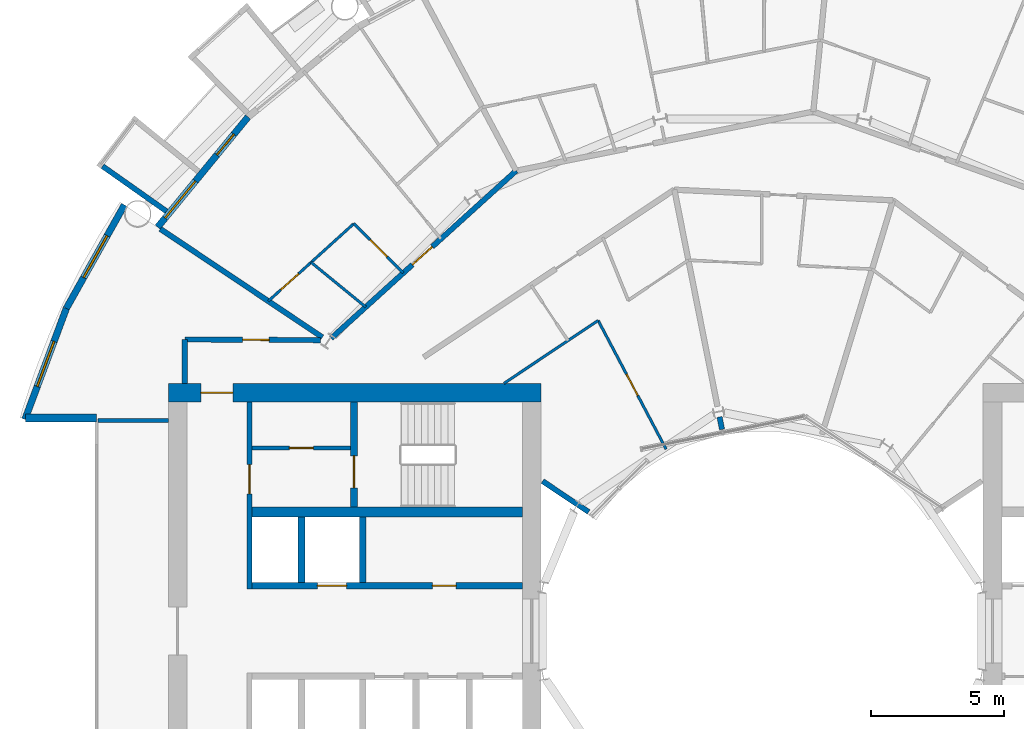
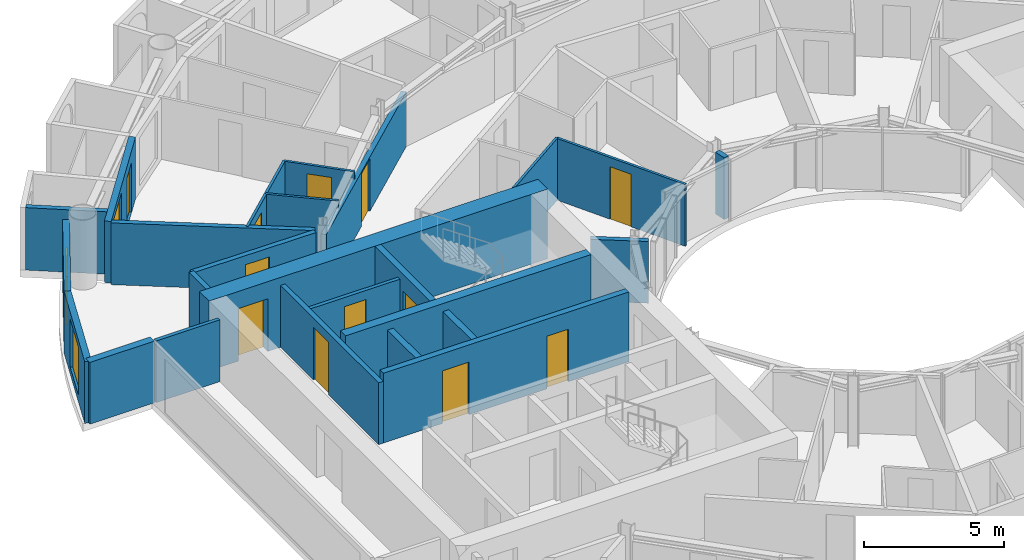
# One storey, part 18 of 26: 25 walls, 12 doors, 3 windows, 15 openings.
"""IFC4 building model written with IfcOpenShell, lengths in metres."""

from ifc_helpers import new_model, si_unit, direction, frame, frame_2d, origin, place, context, subcontext, project, spatial, rectangle, extrude, material, layer, layer_set, type_object, element, fill, save


model = new_model("IFC4")

# Units and contexts
model_context = context("Model", 3, precision=1e-05, world=origin(), true_north=direction((0.0, 1.0)))
body_context = subcontext(model_context, "Body", "Model", "MODEL_VIEW")
ifc_project = project(units=[si_unit("LENGTHUNIT", "METRE"), si_unit("AREAUNIT", "SQUARE_METRE"), si_unit("VOLUMEUNIT", "CUBIC_METRE"), si_unit("PLANEANGLEUNIT", "RADIAN"), si_unit("MASSUNIT", "GRAM", prefix="KILO")], contexts=[model_context])

# Site, building, storey
site_placement = place(None, origin())
site = spatial("IfcSite", under=ifc_project, at=site_placement, CompositionType="ELEMENT")
building_placement = place(site_placement, origin())
building = spatial("IfcBuilding", under=site, at=building_placement, Name="Maasbend Ring Residences", CompositionType="ELEMENT")
storey_placement = place(building_placement, frame((0.0, 0.0, 66.64990234375)))
storey = spatial("IfcBuildingStorey", under=building, at=storey_placement, Name="L18", CompositionType="ELEMENT", Elevation=66.64990234375)

# Wall, openings, doors
ifc_material_1 = material(Name="Concrete C70/85", Category="concrete")
ifc_layer_1 = layer(ifc_material_1, 0.25)
ifc_layer_set_1 = layer_set([ifc_layer_1], Name="Concrete C70/85")
wall_type_1 = type_object("IfcWallType", Name="CORE WALL 250 C70/85", PredefinedType="SHEAR", material=ifc_layer_set_1)
wall_1_placement = place(storey_placement, frame((-19.14990234375, 1.699951171875, 0.0), z_axis=(0.0, 0.0, 1.0), x_axis=(1.0, 0.0, 0.0)))
wall_1 = element("IfcWall", 1, at=wall_1_placement, inside=storey, type_object=wall_type_1, Name="L18 core W wall SPS", PredefinedType="SHEAR", context=body_context, shape_type="SweptSolid", body=[
    extrude(rectangle(XDim=10.14990234375, YDim=0.25, at=frame_2d((5.074951171875, 0.0))), origin(), (0.0, 0.0, 1.0), 3.050048828125),
])
opening_1_placement = place(wall_1_placement, frame((2.449951171875, 0.0, 0.0)))
opening_1 = element("IfcOpeningElement", 2, at=opening_1_placement, cuts=wall_1, Name="Opening LD-W1805", PredefinedType="OPENING", context=body_context, shape_type="SweptSolid", body=[
    extrude(rectangle(XDim=1.10009765625, YDim=2.300048828125, at=frame_2d((0.550048828125, 1.14990234375))), frame((0.0, 0.135009765625, 0.0), z_axis=(0.0, -1.0, 0.0), x_axis=(1.0, 0.0, 0.0)), (0.0, 0.0, 1.0), 0.27001953125),
])
opening_2_placement = place(wall_1_placement, frame((6.762451171875, 0.0, 0.0)))
opening_2 = element("IfcOpeningElement", 3, at=opening_2_placement, cuts=wall_1, Name="Opening D-W1806", PredefinedType="OPENING", context=body_context, shape_type="SweptSolid", body=[
    extrude(rectangle(XDim=0.89990234375, YDim=2.300048828125, at=frame_2d((0.449951171875, 1.14990234375))), frame((0.0, 0.135009765625, 0.0), z_axis=(0.0, -1.0, 0.0), x_axis=(1.0, 0.0, 0.0)), (0.0, 0.0, 1.0), 0.27001953125),
])
ifc_material_2 = material(Name="Stainless steel 316", Category="steel")
door_type_1 = type_object("IfcDoorType", Name="LANDING DOOR 1100 X 2300 FD60", OperationType="DOUBLE_DOOR_SLIDING", PredefinedType="DOOR", material=ifc_material_2)
door_1_placement = place(opening_1_placement, origin())
door_1 = element("IfcDoor", 4, at=door_1_placement, inside=storey, type_object=door_type_1, Name="Landing door SV-W L18", OperationType="DOUBLE_DOOR_SLIDING", OverallHeight=2.300048828125, OverallWidth=1.10009765625, PredefinedType="DOOR", context=body_context, shape_type="SweptSolid", body=[
    extrude(rectangle(XDim=1.10009765625, YDim=2.300048828125, at=frame_2d((0.550048828125, 1.14990234375))), frame((0.0, 0.02490234375, 0.0), z_axis=(0.0, -1.0, 0.0), x_axis=(1.0, 0.0, 0.0)), (0.0, 0.0, 1.0), 0.050048828125),
])
fill(opening_1, door_1)
ifc_material_3 = material(Name="Steel, powder coated", Category="steel")
door_type_2 = type_object("IfcDoorType", Name="ROOM DOOR 900 X 2300 FD30S", OperationType="NOTDEFINED", PredefinedType="DOOR", material=ifc_material_3)
door_2_placement = place(opening_2_placement, origin())
door_2 = element("IfcDoor", 5, at=door_2_placement, inside=storey, type_object=door_type_2, Name="Room door L18", OperationType="SINGLE_SWING_LEFT", OverallHeight=2.300048828125, OverallWidth=0.89990234375, PredefinedType="DOOR", context=body_context, shape_type="SweptSolid", body=[
    extrude(rectangle(XDim=0.89990234375, YDim=2.300048828125, at=frame_2d((0.449951171875, 1.14990234375))), frame((0.0, 0.02490234375, 0.0), z_axis=(0.0, -1.0, 0.0), x_axis=(1.0, 0.0, 0.0)), (0.0, 0.0, 1.0), 0.050048828125),
])
fill(opening_2, door_2)

# Wall, opening, door
wall_2_placement = place(storey_placement, frame((-15.324951171875, 8.60009765625, 0.0), z_axis=(0.0, 0.0, 1.0), x_axis=(0.0, -1.0, 0.0)))
wall_2 = element("IfcWall", 6, at=wall_2_placement, inside=storey, type_object=wall_type_1, Name="L18 core W wall STES", PredefinedType="SHEAR", context=body_context, shape_type="SweptSolid", body=[
    extrude(rectangle(XDim=3.9501953125, YDim=0.25, at=frame_2d((1.97509765625, 0.0))), origin(), (0.0, 0.0, 1.0), 3.050048828125),
])
opening_3_placement = place(wall_2_placement, frame((2.02490234375, 0.0, 0.0)))
opening_3 = element("IfcOpeningElement", 7, at=opening_3_placement, cuts=wall_2, Name="Opening D-W1809", PredefinedType="OPENING", context=body_context, shape_type="SweptSolid", body=[
    extrude(rectangle(XDim=1.199951171875, YDim=2.300048828125, at=frame_2d((0.60009765625, 1.14990234375))), frame((0.0, 0.135009765625, 0.0), z_axis=(0.0, -1.0, 0.0), x_axis=(1.0, 0.0, 0.0)), (0.0, 0.0, 1.0), 0.27001953125),
])
ifc_material_4 = material(Name="Steel, powder coated", Category="steel")
door_type_3 = type_object("IfcDoorType", Name="STAIR DOOR 1200 X 2300 FD60", OperationType="NOTDEFINED", PredefinedType="DOOR", material=ifc_material_4)
door_3_placement = place(opening_3_placement, origin())
door_3 = element("IfcDoor", 8, at=door_3_placement, inside=storey, type_object=door_type_3, Name="Stair door ST-W L18", OperationType="SINGLE_SWING_LEFT", OverallHeight=2.300048828125, OverallWidth=1.199951171875, PredefinedType="DOOR", context=body_context, shape_type="SweptSolid", body=[
    extrude(rectangle(XDim=1.199951171875, YDim=2.300048828125, at=frame_2d((0.60009765625, 1.14990234375))), frame((0.0, 0.02490234375, 0.0), z_axis=(0.0, -1.0, 0.0), x_axis=(1.0, 0.0, 0.0)), (0.0, 0.0, 1.0), 0.050048828125),
])
fill(opening_3, door_3)

# Wall
ifc_material_5 = material(Name="Concrete C70/85", Category="concrete")
ifc_layer_2 = layer(ifc_material_5, 0.375)
ifc_layer_set_2 = layer_set([ifc_layer_2], Name="Concrete C70/85")
wall_type_2 = type_object("IfcWallType", Name="CORE WALL 375 C70/85", PredefinedType="SHEAR", material=ifc_layer_set_2)
wall_3_placement = place(storey_placement, frame((-9.0, 4.46240234375, 0.0), z_axis=(0.0, 0.0, 1.0), x_axis=(-1.0, 0.0, 0.0)))
element("IfcWall", 9, at=wall_3_placement, inside=storey, type_object=wall_type_2, Name="L18 core W wall BS", PredefinedType="SHEAR", context=body_context, shape_type="SweptSolid", body=[
    extrude(rectangle(XDim=10.14990234375, YDim=0.375, at=frame_2d((5.074951171875, 0.0))), origin(), (0.0, 0.0, 1.0), 3.050048828125),
])

# Wall, opening, door
ifc_material_6 = material(Name="Concrete C70/85", Category="concrete")
ifc_layer_3 = layer(ifc_material_6, 0.699951171875)
ifc_layer_set_3 = layer_set([ifc_layer_3], Name="Concrete C70/85")
wall_type_3 = type_object("IfcWallType", Name="CORE WALL 700 C70/85", PredefinedType="SHEAR", material=ifc_layer_set_3)
wall_4_placement = place(storey_placement, frame((-8.300048828125, 8.949951171875, 0.0), z_axis=(0.0, 0.0, 1.0), x_axis=(-1.0, 0.0, 0.0)))
wall_4 = element("IfcWall", 10, at=wall_4_placement, inside=storey, type_object=wall_type_3, Name="L18 core W wall PS", PredefinedType="SHEAR", context=body_context, shape_type="SweptSolid", body=[
    extrude(rectangle(XDim=14.0, YDim=0.699951171875, at=frame_2d((7.0, 0.0))), origin(), (0.0, 0.0, 1.0), 3.050048828125),
])
opening_4_placement = place(wall_4_placement, frame((11.574951171875, 0.0, 0.0)))
opening_4 = element("IfcOpeningElement", 11, at=opening_4_placement, cuts=wall_4, Name="Opening D-W1813", PredefinedType="OPENING", context=body_context, shape_type="SweptSolid", body=[
    extrude(rectangle(XDim=1.199951171875, YDim=2.300048828125, at=frame_2d((0.60009765625, 1.14990234375))), frame((0.0, 0.35986328125, 0.0), z_axis=(0.0, -1.0, 0.0), x_axis=(1.0, 0.0, 0.0)), (0.0, 0.0, 1.0), 0.719970703125),
])
ifc_material_7 = material(Name="Steel, powder coated", Category="steel")
door_type_4 = type_object("IfcDoorType", Name="CORRIDOR DOOR 1200 X 2300 FD30S", OperationType="NOTDEFINED", PredefinedType="DOOR", material=ifc_material_7)
door_4_placement = place(opening_4_placement, origin())
door_4 = element("IfcDoor", 12, at=door_4_placement, inside=storey, type_object=door_type_4, Name="Corridor door L18", OperationType="SINGLE_SWING_LEFT", OverallHeight=2.300048828125, OverallWidth=1.199951171875, PredefinedType="DOOR", context=body_context, shape_type="SweptSolid", body=[
    extrude(rectangle(XDim=1.199951171875, YDim=2.300048828125, at=frame_2d((0.60009765625, 1.14990234375))), frame((0.0, 0.02490234375, 0.0), z_axis=(0.0, -1.0, 0.0), x_axis=(1.0, 0.0, 0.0)), (0.0, 0.0, 1.0), 0.050048828125),
])
fill(opening_4, door_4)

ifc_material_8 = material(Name="Concrete C30/37", Category="concrete")
ifc_layer_4 = layer(ifc_material_8, 0.199951171875)
ifc_layer_set_4 = layer_set([ifc_layer_4], Name="Concrete C30/37")
wall_type_4 = type_object("IfcWallType", Name="CORRIDOR WALL 200 CONCRETE", PredefinedType="PARTITIONING", material=ifc_layer_set_4)
wall_5_placement = place(storey_placement, frame((-21.675048828125, 10.949951171875, 0.0), z_axis=(0.0, 0.0, 1.0), x_axis=(0.999988019025, -0.004895079807, 0.0)))
wall_5 = element("IfcWall", 13, at=wall_5_placement, inside=storey, type_object=wall_type_4, Name="U-L18-w093", PredefinedType="PARTITIONING", context=body_context, shape_type="SweptSolid", body=[
    extrude(rectangle(XDim=5.087158203125, YDim=0.199951171875, at=frame_2d((2.54345703125, 0.0))), origin(), (0.0, 0.0, 1.0), 2.7001953125),
])
opening_5_placement = place(wall_5_placement, frame((2.1630859375, 0.0, 0.0)))
opening_5 = element("IfcOpeningElement", 14, at=opening_5_placement, cuts=wall_5, Name="Opening D-1871", PredefinedType="OPENING", context=body_context, shape_type="SweptSolid", body=[
    extrude(rectangle(XDim=1.0, YDim=2.300048828125, at=frame_2d((0.5, 1.14990234375))), frame((0.0, 0.10986328125, 0.0), z_axis=(0.0, -1.0, 0.0), x_axis=(1.0, 0.0, 0.0)), (0.0, 0.0, 1.0), 0.219970703125),
])
ifc_material_9 = material(Name="Timber, painted", Category="wood")
door_type_5 = type_object("IfcDoorType", Name="ROOM DOOR 1000 X 2300", OperationType="NOTDEFINED", PredefinedType="DOOR", material=ifc_material_9)
door_5_placement = place(opening_5_placement, origin())
door_5 = element("IfcDoor", 15, at=door_5_placement, inside=storey, type_object=door_type_5, Name="D-1871", OperationType="SINGLE_SWING_RIGHT", OverallHeight=2.300048828125, OverallWidth=1.0, PredefinedType="DOOR", context=body_context, shape_type="SweptSolid", body=[
    extrude(rectangle(XDim=1.0, YDim=2.300048828125, at=frame_2d((0.5, 1.14990234375))), frame((0.0, 0.02490234375, 0.0), z_axis=(0.0, -1.0, 0.0), x_axis=(1.0, 0.0, 0.0)), (0.0, 0.0, 1.0), 0.050048828125),
])
fill(opening_5, door_5)

wall_6_placement = place(storey_placement, frame((-16.179931640625, 10.9951171875, 0.0), z_axis=(0.0, 0.0, 1.0), x_axis=(0.741086986457, 0.671409024741, 0.0)))
wall_6 = element("IfcWall", 16, at=wall_6_placement, inside=storey, type_object=wall_type_4, Name="U-L18-w105", PredefinedType="PARTITIONING", context=body_context, shape_type="SweptSolid", body=[
    extrude(rectangle(XDim=9.372802734375, YDim=0.199951171875, at=frame_2d((4.6865234375, 0.0))), origin(), (0.0, 0.0, 1.0), 2.380126953125),
])
opening_6_placement = place(wall_6_placement, frame((4.114990234375, 0.0, 0.0)))
opening_6 = element("IfcOpeningElement", 17, at=opening_6_placement, cuts=wall_6, Name="Opening D-1818", PredefinedType="OPENING", context=body_context, shape_type="SweptSolid", body=[
    extrude(rectangle(XDim=1.0, YDim=2.300048828125, at=frame_2d((0.5, 1.14990234375))), frame((0.0, 0.10986328125, 0.0), z_axis=(0.0, -1.0, 0.0), x_axis=(1.0, 0.0, 0.0)), (0.0, 0.0, 1.0), 0.219970703125),
])
ifc_material_10 = material(Name="Timber, fire-rated, painted", Category="wood")
door_type_6 = type_object("IfcDoorType", Name="FLAT ENTRANCE DOOR 1000 X 2300 FIRE-RATED", OperationType="NOTDEFINED", PredefinedType="DOOR", material=ifc_material_10)
door_6_placement = place(opening_6_placement, origin())
door_6 = element("IfcDoor", 18, at=door_6_placement, inside=storey, type_object=door_type_6, Name="D-1818", OperationType="SINGLE_SWING_LEFT", OverallHeight=2.300048828125, OverallWidth=1.0, PredefinedType="DOOR", context=body_context, shape_type="SweptSolid", body=[
    extrude(rectangle(XDim=1.0, YDim=2.300048828125, at=frame_2d((0.5, 1.14990234375))), frame((0.0, 0.02490234375, 0.0), z_axis=(0.0, -1.0, 0.0), x_axis=(1.0, 0.0, 0.0)), (0.0, 0.0, 1.0), 0.050048828125),
])
fill(opening_6, door_6)

# Walls
wall_7_placement = place(storey_placement, frame((-21.675048828125, 9.300048828125, 0.0), z_axis=(0.0, 0.0, 1.0), x_axis=(0.0, 1.0, 0.0)))
element("IfcWall", 19, at=wall_7_placement, inside=storey, type_object=wall_type_4, Name="U-L18-w115", PredefinedType="PARTITIONING", context=body_context, shape_type="SweptSolid", body=[
    extrude(rectangle(XDim=1.64990234375, YDim=0.199951171875, at=frame_2d((0.824951171875, 0.0))), origin(), (0.0, 0.0, 1.0), 2.7001953125),
])
ifc_material_11 = material(Name="Pale anodised aluminium panel", Category="aluminium")
ifc_layer_5 = layer(ifc_material_11, 0.199951171875)
ifc_layer_set_5 = layer_set([ifc_layer_5], Name="EW-BOX")
wall_type_5 = type_object("IfcWallType", Name="EW-BOX", PredefinedType="SOLIDWALL", material=ifc_layer_set_5)
wall_8_placement = place(storey_placement, frame((-22.3701171875, 15.764892578125, -0.02978515625), z_axis=(0.0, 0.0, 1.0), x_axis=(-0.817256123454, 0.576274612209, 0.0)))
element("IfcWall", 20, at=wall_8_placement, inside=storey, type_object=wall_type_5, Name="Box side wall N20 right", PredefinedType="SOLIDWALL", context=body_context, shape_type="SweptSolid", body=[
    extrude(rectangle(XDim=2.932861328125, YDim=0.199951171875, at=frame_2d((1.46630859375, 0.0))), origin(), (0.0, 0.0, 1.0), 2.72998046875),
])

# Wall, openings, door, window
ifc_material_12 = material(Name="Aluminium clad insulated panel", Category="aluminium")
ifc_layer_6 = layer(ifc_material_12, 0.25)
ifc_layer_set_6 = layer_set([ifc_layer_6], Name="EW-GL")
wall_type_6 = type_object("IfcWallType", Name="EW-GL", PredefinedType="SOLIDWALL", material=ifc_layer_set_6)
wall_9_placement = place(storey_placement, frame((-19.303955078125, 19.303955078125, 0.0), z_axis=(0.0, 0.0, 1.0), x_axis=(-0.634382322723, -0.773019449054, 0.0)))
wall_9 = element("IfcWall", 21, at=wall_9_placement, inside=storey, type_object=wall_type_6, Name="External wall N10", PredefinedType="SOLIDWALL", context=body_context, shape_type="SweptSolid", body=[
    extrude(rectangle(XDim=5.351806640625, YDim=0.25, at=frame_2d((2.67578125, 0.0))), origin(), (0.0, 0.0, 1.0), 2.7001953125),
])
opening_7_placement = place(wall_9_placement, frame((0.841064453125, 0.0, 0.0)))
opening_7 = element("IfcOpeningElement", 22, at=opening_7_placement, cuts=wall_9, Name="Opening D-LG", PredefinedType="OPENING", context=body_context, shape_type="SweptSolid", body=[
    extrude(rectangle(XDim=1.0, YDim=2.199951171875, at=frame_2d((0.5, 1.10009765625))), frame((0.0, 0.135009765625, 0.0), z_axis=(0.0, -1.0, 0.0), x_axis=(1.0, 0.0, 0.0)), (0.0, 0.0, 1.0), 0.27001953125),
])
opening_8_placement = place(wall_9_placement, frame((3.110595703125, 0.0, 0.300048828125)))
opening_8 = element("IfcOpeningElement", 23, at=opening_8_placement, cuts=wall_9, Name="Opening W-BX", PredefinedType="OPENING", context=body_context, shape_type="SweptSolid", body=[
    extrude(rectangle(XDim=1.800048828125, YDim=2.10009765625, at=frame_2d((0.89990234375, 1.050048828125))), frame((0.0, 0.135009765625, 0.0), z_axis=(0.0, -1.0, 0.0), x_axis=(1.0, 0.0, 0.0)), (0.0, 0.0, 1.0), 0.27001953125),
])
ifc_material_13 = material(Name="Aluminium and clear glass", Category="aluminium")
door_type_7 = type_object("IfcDoorType", Name="D-LG", OperationType="SINGLE_SWING_LEFT", PredefinedType="DOOR", material=ifc_material_13)
door_7_placement = place(opening_7_placement, origin())
door_7 = element("IfcDoor", 24, at=door_7_placement, inside=storey, type_object=door_type_7, Name="Loggia door N19", OperationType="SINGLE_SWING_LEFT", OverallHeight=2.199951171875, OverallWidth=1.0, PredefinedType="DOOR", context=body_context, shape_type="SweptSolid", body=[
    extrude(rectangle(XDim=1.0, YDim=2.199951171875, at=frame_2d((0.5, 1.10009765625))), frame((0.0, 0.02490234375, 0.0), z_axis=(0.0, -1.0, 0.0), x_axis=(1.0, 0.0, 0.0)), (0.0, 0.0, 1.0), 0.050048828125),
])
fill(opening_7, door_7)
ifc_material_14 = material(Name="Aluminium and clear glass", Category="aluminium")
window_type = type_object("IfcWindowType", Name="W-BX", PartitioningType="DOUBLE_PANEL_VERTICAL", PredefinedType="WINDOW", material=ifc_material_14)
window_1_placement = place(opening_8_placement, origin())
window_1 = element("IfcWindow", 25, at=window_1_placement, inside=storey, type_object=window_type, Name="Window N20 room to box", OverallHeight=2.10009765625, OverallWidth=1.800048828125, PartitioningType="SINGLE_PANEL", PredefinedType="WINDOW", context=body_context, shape_type="SweptSolid", body=[
    extrude(rectangle(XDim=1.800048828125, YDim=2.10009765625, at=frame_2d((0.89990234375, 1.050048828125))), frame((0.0, 0.030029296875, 0.0), z_axis=(0.0, -1.0, 0.0), x_axis=(1.0, 0.0, 0.0)), (0.0, 0.0, 1.0), 0.06005859375),
])
fill(opening_8, window_1)

# Wall, opening, window
ifc_material_15 = material(Name="Aluminium clad insulated panel", Category="aluminium")
ifc_layer_7 = layer(ifc_material_15, 0.25)
ifc_layer_set_7 = layer_set([ifc_layer_7], Name="EW-HORN")
wall_type_7 = type_object("IfcWallType", Name="EW-HORN", PredefinedType="SOLIDWALL", material=ifc_layer_set_7)
wall_10_placement = place(storey_placement, frame((-23.946044921875, 16.0, 0.0), z_axis=(0.0, 0.0, 1.0), x_axis=(-0.489696356642, -0.871893042919, 0.0)))
wall_10 = element("IfcWall", 26, at=wall_10_placement, inside=storey, type_object=wall_type_7, Name="Horn wall 4.1", PredefinedType="SOLIDWALL", context=body_context, shape_type="SweptSolid", body=[
    extrude(rectangle(XDim=4.45361328125, YDim=0.25, at=frame_2d((2.226806640625, 0.0))), origin(), (0.0, 0.0, 1.0), 2.7001953125),
])
opening_9_placement = place(wall_10_placement, frame((1.32666015625, 0.0, 0.300048828125)))
opening_9 = element("IfcOpeningElement", 27, at=opening_9_placement, cuts=wall_10, Name="Opening W-BX", PredefinedType="OPENING", context=body_context, shape_type="SweptSolid", body=[
    extrude(rectangle(XDim=1.800048828125, YDim=2.10009765625, at=frame_2d((0.89990234375, 1.050048828125))), frame((0.0, 0.135009765625, 0.0), z_axis=(0.0, -1.0, 0.0), x_axis=(1.0, 0.0, 0.0)), (0.0, 0.0, 1.0), 0.27001953125),
])
window_2_placement = place(opening_9_placement, origin())
window_2 = element("IfcWindow", 28, at=window_2_placement, inside=storey, type_object=window_type, Name="Horn window 4.1", OverallHeight=2.10009765625, OverallWidth=1.800048828125, PartitioningType="SINGLE_PANEL", PredefinedType="WINDOW", context=body_context, shape_type="SweptSolid", body=[
    extrude(rectangle(XDim=1.800048828125, YDim=2.10009765625, at=frame_2d((0.89990234375, 1.050048828125))), frame((0.0, 0.030029296875, 0.0), z_axis=(0.0, -1.0, 0.0), x_axis=(1.0, 0.0, 0.0)), (0.0, 0.0, 1.0), 0.06005859375),
])
fill(opening_9, window_2)

wall_11_placement = place(storey_placement, frame((-26.126953125, 12.116943359375, 0.0), z_axis=(0.0, 0.0, 1.0), x_axis=(-0.349247811493, -0.937030397675, 0.0)))
wall_11 = element("IfcWall", 29, at=wall_11_placement, inside=storey, type_object=wall_type_7, Name="Horn wall 4.2", PredefinedType="SOLIDWALL", context=body_context, shape_type="SweptSolid", body=[
    extrude(rectangle(XDim=4.4521484375, YDim=0.25, at=frame_2d((2.22607421875, 0.0))), origin(), (0.0, 0.0, 1.0), 2.7001953125),
])
opening_10_placement = place(wall_11_placement, frame((1.32666015625, 0.0, 0.300048828125)))
opening_10 = element("IfcOpeningElement", 30, at=opening_10_placement, cuts=wall_11, Name="Opening W-BX", PredefinedType="OPENING", context=body_context, shape_type="SweptSolid", body=[
    extrude(rectangle(XDim=1.800048828125, YDim=2.10009765625, at=frame_2d((0.89990234375, 1.050048828125))), frame((0.0, 0.135009765625, 0.0), z_axis=(0.0, -1.0, 0.0), x_axis=(1.0, 0.0, 0.0)), (0.0, 0.0, 1.0), 0.27001953125),
])
window_3_placement = place(opening_10_placement, origin())
window_3 = element("IfcWindow", 31, at=window_3_placement, inside=storey, type_object=window_type, Name="Horn window 4.2", OverallHeight=2.10009765625, OverallWidth=1.800048828125, PartitioningType="SINGLE_PANEL", PredefinedType="WINDOW", context=body_context, shape_type="SweptSolid", body=[
    extrude(rectangle(XDim=1.800048828125, YDim=2.10009765625, at=frame_2d((0.89990234375, 1.050048828125))), frame((0.0, 0.030029296875, 0.0), z_axis=(0.0, -1.0, 0.0), x_axis=(1.0, 0.0, 0.0)), (0.0, 0.0, 1.0), 0.06005859375),
])
fill(opening_10, window_3)

# Walls
ifc_material_16 = material(Name="Aluminium clad insulated panel", Category="aluminium")
ifc_layer_8 = layer(ifc_material_16, 0.300048828125)
ifc_layer_set_8 = layer_set([ifc_layer_8], Name="EW-RET")
wall_type_8 = type_object("IfcWallType", Name="EW-RET", PredefinedType="SOLIDWALL", material=ifc_layer_set_8)
wall_12_placement = place(storey_placement, frame((-25.0, 8.0, 0.0), z_axis=(0.0, 0.0, 1.0), x_axis=(-1.0, 0.0, 0.0)))
element("IfcWall", 32, at=wall_12_placement, inside=storey, type_object=wall_type_8, Name="Notch return wall west north", PredefinedType="SOLIDWALL", context=body_context, shape_type="SweptSolid", body=[
    extrude(rectangle(XDim=2.6669921875, YDim=0.300048828125, at=frame_2d((1.33349609375, 0.0))), origin(), (0.0, 0.0, 1.0), 2.7001953125),
])
ifc_material_17 = material(Name="Gypsum board on steel studs", Category="steel")
ifc_layer_9 = layer(ifc_material_17, 0.10009765625)
ifc_layer_set_9 = layer_set([ifc_layer_9], Name="PARTITION 100 GYPSUM")
wall_type_9 = type_object("IfcWallType", Name="PARTITION 100 GYPSUM", PredefinedType="PARTITIONING", material=ifc_layer_set_9)
wall_13_placement = place(storey_placement, frame((-16.93603515625, 13.844970703125, 0.0), z_axis=(0.0, 0.0, 1.0), x_axis=(0.774162545943, -0.632986850147, 0.0)))
element("IfcWall", 33, at=wall_13_placement, inside=storey, type_object=wall_type_9, Name="U-L18-w034", PredefinedType="PARTITIONING", context=body_context, shape_type="SweptSolid", body=[
    extrude(rectangle(XDim=2.6494140625, YDim=0.10009765625, at=frame_2d((1.32470703125, 0.0))), origin(), (0.0, 0.0, 1.0), 2.7001953125),
])

# Wall, opening, door
wall_14_placement = place(storey_placement, frame((-15.330078125, 15.300048828125, 0.0), z_axis=(0.0, 0.0, 1.0), x_axis=(0.707851299421, -0.706361478217, 0.0)))
wall_14 = element("IfcWall", 34, at=wall_14_placement, inside=storey, type_object=wall_type_9, Name="U-L18-w035", PredefinedType="PARTITIONING", context=body_context, shape_type="SweptSolid", body=[
    extrude(rectangle(XDim=2.6220703125, YDim=0.10009765625, at=frame_2d((1.31103515625, 0.0))), origin(), (0.0, 0.0, 1.0), 2.7001953125),
])
opening_11_placement = place(wall_14_placement, frame((0.861083984375, 0.0, 0.0)))
opening_11 = element("IfcOpeningElement", 35, at=opening_11_placement, cuts=wall_14, Name="Opening D-1820", PredefinedType="OPENING", context=body_context, shape_type="SweptSolid", body=[
    extrude(rectangle(XDim=0.89990234375, YDim=2.300048828125, at=frame_2d((0.449951171875, 1.14990234375))), frame((0.0, 0.06005859375, 0.0), z_axis=(0.0, -1.0, 0.0), x_axis=(1.0, 0.0, 0.0)), (0.0, 0.0, 1.0), 0.1201171875),
])
ifc_material_18 = material(Name="Timber, painted", Category="wood")
door_type_8 = type_object("IfcDoorType", Name="INTERNAL DOOR 900 X 2300", OperationType="NOTDEFINED", PredefinedType="DOOR", material=ifc_material_18)
door_8_placement = place(opening_11_placement, origin())
door_8 = element("IfcDoor", 36, at=door_8_placement, inside=storey, type_object=door_type_8, Name="D-1820", OperationType="SINGLE_SWING_RIGHT", OverallHeight=2.300048828125, OverallWidth=0.89990234375, PredefinedType="DOOR", context=body_context, shape_type="SweptSolid", body=[
    extrude(rectangle(XDim=0.89990234375, YDim=2.300048828125, at=frame_2d((0.449951171875, 1.14990234375))), frame((0.0, 0.02490234375, 0.0), z_axis=(0.0, -1.0, 0.0), x_axis=(1.0, 0.0, 0.0)), (0.0, 0.0, 1.0), 0.050048828125),
])
fill(opening_11, door_8)

wall_15_placement = place(storey_placement, frame((-6.158935546875, 11.6630859375, 0.0), z_axis=(0.0, 0.0, 1.0), x_axis=(0.466976820365, -0.884269556889, 0.0)))
wall_15 = element("IfcWall", 37, at=wall_15_placement, inside=storey, type_object=wall_type_9, Name="U-L18-w047", PredefinedType="PARTITIONING", context=body_context, shape_type="SweptSolid", body=[
    extrude(rectangle(XDim=5.46923828125, YDim=0.10009765625, at=frame_2d((2.734619140625, 0.0))), origin(), (0.0, 0.0, 1.0), 2.7001953125),
])
opening_12_placement = place(wall_15_placement, frame((2.283935546875, 0.0, 0.0)))
opening_12 = element("IfcOpeningElement", 38, at=opening_12_placement, cuts=wall_15, Name="Opening D-1834", PredefinedType="OPENING", context=body_context, shape_type="SweptSolid", body=[
    extrude(rectangle(XDim=0.89990234375, YDim=2.300048828125, at=frame_2d((0.449951171875, 1.14990234375))), frame((0.0, 0.06005859375, 0.0), z_axis=(0.0, -1.0, 0.0), x_axis=(1.0, 0.0, 0.0)), (0.0, 0.0, 1.0), 0.1201171875),
])
door_9_placement = place(opening_12_placement, origin())
door_9 = element("IfcDoor", 39, at=door_9_placement, inside=storey, type_object=door_type_8, Name="D-1834", OperationType="SINGLE_SWING_RIGHT", OverallHeight=2.300048828125, OverallWidth=0.89990234375, PredefinedType="DOOR", context=body_context, shape_type="SweptSolid", body=[
    extrude(rectangle(XDim=0.89990234375, YDim=2.300048828125, at=frame_2d((0.449951171875, 1.14990234375))), frame((0.0, 0.02490234375, 0.0), z_axis=(0.0, -1.0, 0.0), x_axis=(1.0, 0.0, 0.0)), (0.0, 0.0, 1.0), 0.050048828125),
])
fill(opening_12, door_9)

# Wall
wall_16_placement = place(storey_placement, frame((-9.695068359375, 9.300048828125, 0.0), z_axis=(0.0, 0.0, 1.0), x_axis=(0.831369521678, 0.555720000022, 0.0)))
element("IfcWall", 40, at=wall_16_placement, inside=storey, type_object=wall_type_9, Name="U-L18-w095", PredefinedType="PARTITIONING", context=body_context, shape_type="SweptSolid", body=[
    extrude(rectangle(XDim=4.252197265625, YDim=0.10009765625, at=frame_2d((2.1259765625, 0.0))), origin(), (0.0, 0.0, 1.0), 2.7001953125),
])

# Wall, opening, door
wall_17_placement = place(storey_placement, frame((-18.5400390625, 12.39208984375, 0.0), z_axis=(0.0, 0.0, 1.0), x_axis=(0.741109646243, 0.671384012504, 0.0)))
wall_17 = element("IfcWall", 41, at=wall_17_placement, inside=storey, type_object=wall_type_9, Name="U-L18-w110", PredefinedType="PARTITIONING", context=body_context, shape_type="SweptSolid", body=[
    extrude(rectangle(XDim=4.331298828125, YDim=0.10009765625, at=frame_2d((2.16552734375, 0.0))), origin(), (0.0, 0.0, 1.0), 2.7001953125),
])
opening_13_placement = place(wall_17_placement, frame((0.62890625, 0.0, 0.0)))
opening_13 = element("IfcOpeningElement", 42, at=opening_13_placement, cuts=wall_17, Name="Opening D-1819", PredefinedType="OPENING", context=body_context, shape_type="SweptSolid", body=[
    extrude(rectangle(XDim=0.89990234375, YDim=2.300048828125, at=frame_2d((0.449951171875, 1.14990234375))), frame((0.0, 0.06005859375, 0.0), z_axis=(0.0, -1.0, 0.0), x_axis=(1.0, 0.0, 0.0)), (0.0, 0.0, 1.0), 0.1201171875),
])
door_10_placement = place(opening_13_placement, origin())
door_10 = element("IfcDoor", 43, at=door_10_placement, inside=storey, type_object=door_type_8, Name="D-1819", OperationType="SINGLE_SWING_LEFT", OverallHeight=2.300048828125, OverallWidth=0.89990234375, PredefinedType="DOOR", context=body_context, shape_type="SweptSolid", body=[
    extrude(rectangle(XDim=0.89990234375, YDim=2.300048828125, at=frame_2d((0.449951171875, 1.14990234375))), frame((0.0, 0.02490234375, 0.0), z_axis=(0.0, -1.0, 0.0), x_axis=(1.0, 0.0, 0.0)), (0.0, 0.0, 1.0), 0.050048828125),
])
fill(opening_13, door_10)

ifc_material_19 = material(Name="Gypsum board on steel studs", Category="steel")
ifc_layer_10 = layer(ifc_material_19, 0.14990234375)
ifc_layer_set_10 = layer_set([ifc_layer_10], Name="PARTITION 150 EI 60")
wall_type_10 = type_object("IfcWallType", Name="PARTITION 150 EI 60", PredefinedType="PARTITIONING", material=ifc_layer_set_10)
wall_18_placement = place(storey_placement, frame((-15.449951171875, 6.875, 0.0), z_axis=(0.0, 0.0, 1.0), x_axis=(-1.0, 0.0, 0.0)))
wall_18 = element("IfcWall", 44, at=wall_18_placement, inside=storey, type_object=wall_type_10, Name="L18 core W wall RHS", PredefinedType="PARTITIONING", context=body_context, shape_type="SweptSolid", body=[
    extrude(rectangle(XDim=3.699951171875, YDim=0.14990234375, at=frame_2d((1.85009765625, 0.0))), origin(), (0.0, 0.0, 1.0), 2.7001953125),
])
opening_14_placement = place(wall_18_placement, frame((1.39990234375, 0.0, 0.0)))
opening_14 = element("IfcOpeningElement", 45, at=opening_14_placement, cuts=wall_18, Name="Opening D-W1807", PredefinedType="OPENING", context=body_context, shape_type="SweptSolid", body=[
    extrude(rectangle(XDim=0.89990234375, YDim=2.300048828125, at=frame_2d((0.449951171875, 1.14990234375))), frame((0.0, 0.0849609375, 0.0), z_axis=(0.0, -1.0, 0.0), x_axis=(1.0, 0.0, 0.0)), (0.0, 0.0, 1.0), 0.169921875),
])
ifc_material_20 = material(Name="Steel, powder coated", Category="steel")
door_type_9 = type_object("IfcDoorType", Name="RISER DOOR 900 X 2300 FD60", OperationType="NOTDEFINED", PredefinedType="DOOR", material=ifc_material_20)
door_11_placement = place(opening_14_placement, origin())
door_11 = element("IfcDoor", 46, at=door_11_placement, inside=storey, type_object=door_type_9, Name="Riser door L18", OperationType="SINGLE_SWING_LEFT", OverallHeight=2.300048828125, OverallWidth=0.89990234375, PredefinedType="DOOR", context=body_context, shape_type="SweptSolid", body=[
    extrude(rectangle(XDim=0.89990234375, YDim=2.300048828125, at=frame_2d((0.449951171875, 1.14990234375))), frame((0.0, 0.02490234375, 0.0), z_axis=(0.0, -1.0, 0.0), x_axis=(1.0, 0.0, 0.0)), (0.0, 0.0, 1.0), 0.050048828125),
])
fill(opening_14, door_11)

# Walls
wall_19_placement = place(storey_placement, frame((-22.300048828125, 7.89990234375, 0.0), z_axis=(0.0, 0.0, 1.0), x_axis=(-1.0, 0.0, 0.0)))
element("IfcWall", 47, at=wall_19_placement, inside=storey, type_object=wall_type_10, Name="L18 core W wall CITS", PredefinedType="PARTITIONING", context=body_context, shape_type="SweptSolid", body=[
    extrude(rectangle(XDim=2.639892578125, YDim=0.14990234375, at=frame_2d((1.31982421875, 0.0))), origin(), (0.0, 0.0, 1.0), 2.7001953125),
])
ifc_material_21 = material(Name="Concrete C30/37", Category="concrete")
ifc_layer_11 = layer(ifc_material_21, 0.199951171875)
ifc_layer_set_11 = layer_set([ifc_layer_11], Name="Concrete C30/37")
wall_type_11 = type_object("IfcWallType", Name="PARTY WALL 200 CONCRETE", PredefinedType="PARTITIONING", material=ifc_layer_set_11)
wall_20_placement = place(storey_placement, frame((-22.594970703125, 15.097900390625, 0.0), z_axis=(0.0, 0.0, 1.0), x_axis=(0.831382022135, -0.555701298605, 0.0)))
element("IfcWall", 48, at=wall_20_placement, inside=storey, type_object=wall_type_11, Name="U-L18-w030", PredefinedType="PARTITIONING", context=body_context, shape_type="SweptSolid", body=[
    extrude(rectangle(XDim=7.313232421875, YDim=0.199951171875, at=frame_2d((3.65673828125, 0.0))), origin(), (0.0, 0.0, 1.0), 2.7001953125),
])
wall_21_placement = place(storey_placement, frame((-1.60009765625, 8.0419921875, 0.0), z_axis=(0.0, 0.0, 1.0), x_axis=(0.196116135138, -0.980580675691, 0.0)))
element("IfcWall", 49, at=wall_21_placement, inside=storey, type_object=wall_type_11, Name="U-L18-w057", PredefinedType="PARTITIONING", context=body_context, shape_type="SweptSolid", body=[
    extrude(rectangle(XDim=0.479248046875, YDim=0.199951171875, at=frame_2d((0.23974609375, 0.0))), origin(), (0.0, 0.0, 1.0), 2.7001953125),
])
wall_22_placement = place(storey_placement, frame((-6.512939453125, 4.471923828125, 0.0), z_axis=(0.0, 0.0, 1.0), x_axis=(-0.831382204863, 0.555701025225, 0.0)))
element("IfcWall", 50, at=wall_22_placement, inside=storey, type_object=wall_type_11, Name="U-L18-w091", PredefinedType="PARTITIONING", context=body_context, shape_type="SweptSolid", body=[
    extrude(rectangle(XDim=2.08203125, YDim=0.199951171875, at=frame_2d((1.041015625, 0.0))), origin(), (0.0, 0.0, 1.0), 2.7001953125),
])

# Wall, opening, door
ifc_material_22 = material(Name="Concrete C30/37", Category="concrete")
ifc_layer_12 = layer(ifc_material_22, 0.199951171875)
ifc_layer_set_12 = layer_set([ifc_layer_12], Name="Concrete C30/37")
wall_type_12 = type_object("IfcWallType", Name="SHAFT WALL 200 EI 120", PredefinedType="SOLIDWALL", material=ifc_layer_set_12)
wall_23_placement = place(storey_placement, frame((-19.25, 8.60009765625, 0.0), z_axis=(0.0, 0.0, 1.0), x_axis=(0.0, -1.0, 0.0)))
wall_23 = element("IfcWall", 51, at=wall_23_placement, inside=storey, type_object=wall_type_12, Name="L18 core W wall ENDS", PredefinedType="SOLIDWALL", context=body_context, shape_type="SweptSolid", body=[
    extrude(rectangle(XDim=7.025146484375, YDim=0.199951171875, at=frame_2d((3.5126953125, 0.0))), origin(), (0.0, 0.0, 1.0), 2.7001953125),
])
opening_15_placement = place(wall_23_placement, frame((2.35009765625, 0.0, 0.0)))
opening_15 = element("IfcOpeningElement", 52, at=opening_15_placement, cuts=wall_23, Name="Opening D-W1811", PredefinedType="OPENING", context=body_context, shape_type="SweptSolid", body=[
    extrude(rectangle(XDim=1.10009765625, YDim=2.300048828125, at=frame_2d((0.550048828125, 1.14990234375))), frame((0.0, 0.10986328125, 0.0), z_axis=(0.0, -1.0, 0.0), x_axis=(1.0, 0.0, 0.0)), (0.0, 0.0, 1.0), 0.219970703125),
])
ifc_material_23 = material(Name="Steel, powder coated", Category="steel")
door_type_10 = type_object("IfcDoorType", Name="LOBBY DOOR 1100 X 2300 FD60", OperationType="NOTDEFINED", PredefinedType="DOOR", material=ifc_material_23)
door_12_placement = place(opening_15_placement, origin())
door_12 = element("IfcDoor", 53, at=door_12_placement, inside=storey, type_object=door_type_10, Name="Lobby door L18", OperationType="SINGLE_SWING_RIGHT", OverallHeight=2.300048828125, OverallWidth=1.10009765625, PredefinedType="DOOR", context=body_context, shape_type="SweptSolid", body=[
    extrude(rectangle(XDim=1.10009765625, YDim=2.300048828125, at=frame_2d((0.550048828125, 1.14990234375))), frame((0.0, 0.02490234375, 0.0), z_axis=(0.0, -1.0, 0.0), x_axis=(1.0, 0.0, 0.0)), (0.0, 0.0, 1.0), 0.050048828125),
])
fill(opening_15, door_12)

# Walls
ifc_material_24 = material(Name="Concrete C30/37", Category="concrete")
ifc_layer_13 = layer(ifc_material_24, 0.25)
ifc_layer_set_13 = layer_set([ifc_layer_13], Name="Concrete C30/37")
wall_type_13 = type_object("IfcWallType", Name="SHAFT WALL 250 EI 120", PredefinedType="SOLIDWALL", material=ifc_layer_set_13)
for number, where, z_axis, x_axis, name in (
    (54, (-15.0, 1.824951171875, 0.0), (0.0, 0.0, 1.0), (0.0, 1.0, 0.0), "L18 core W wall D150S"),
    (55, (-17.300048828125, 1.824951171875, 0.0), (0.0, 0.0, 1.0), (0.0, 1.0, 0.0), "L18 core W wall D173S"),
):
    element("IfcWall", number, at=place(storey_placement, frame(where, z_axis=z_axis, x_axis=x_axis)), inside=storey, type_object=wall_type_13, Name=name, PredefinedType="SOLIDWALL", context=body_context, shape_type="SweptSolid", body=[
        extrude(rectangle(XDim=2.449951171875, YDim=0.25, at=frame_2d((1.22509765625, 0.0))), origin(), (0.0, 0.0, 1.0), 2.7001953125),
    ])

save(model, "model.ifc")
